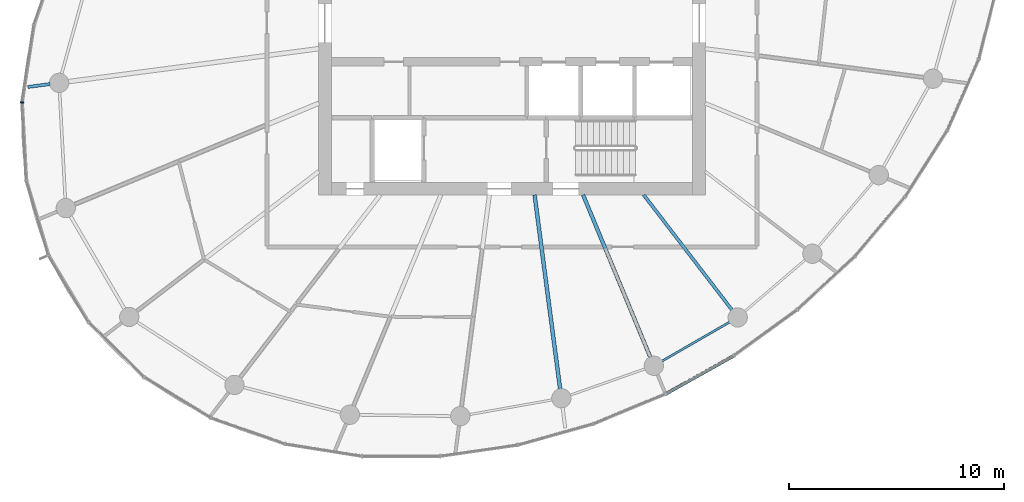
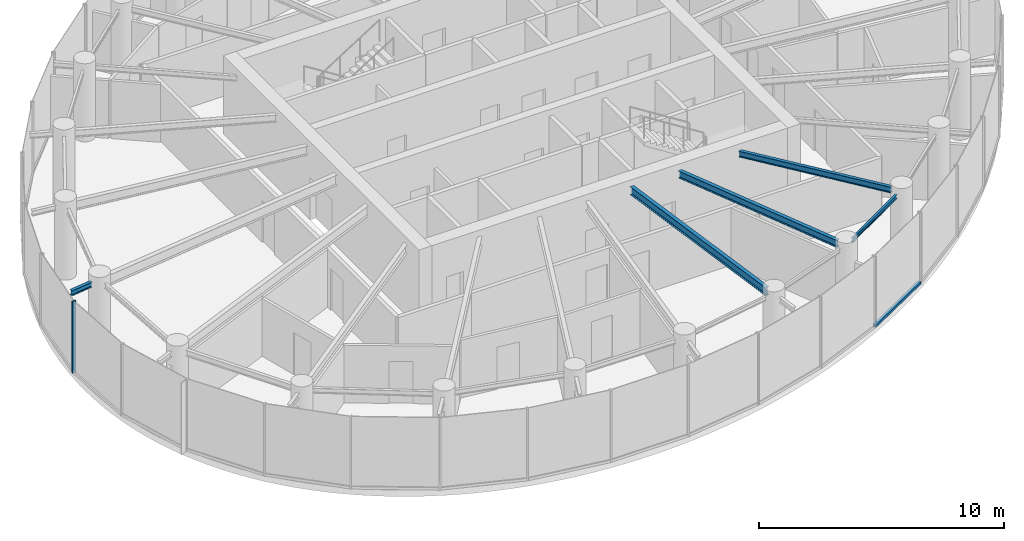
# One storey, part 3 of 14: 5 beams, 2 members, 2 elements without a shape of their own.
"""IFC4 building model written with IfcOpenShell, lengths in metres."""

from ifc_helpers import new_model, si_unit, direction, frame, origin, origin_2d, place, context, subcontext, project, spatial, rectangle, i_section, extrude, source, transform, mapped, material, layer, layer_set, material_profile, profile_set, type_object, element, aggregate, save


model = new_model("IFC4")

# Units and contexts
model_context = context("Model", 3, precision=1e-05, world=origin(), true_north=direction((0.0, 1.0)))
body_context = subcontext(model_context, "Body", "Model", "MODEL_VIEW")
ifc_project = project(units=[si_unit("LENGTHUNIT", "METRE"), si_unit("AREAUNIT", "SQUARE_METRE"), si_unit("VOLUMEUNIT", "CUBIC_METRE"), si_unit("PLANEANGLEUNIT", "RADIAN"), si_unit("MASSUNIT", "GRAM", prefix="KILO")], contexts=[model_context])

# Site, building, storey
site_placement = place(None, origin())
site = spatial("IfcSite", under=ifc_project, at=site_placement, CompositionType="ELEMENT")
building_placement = place(site_placement, origin())
building = spatial("IfcBuilding", under=site, at=building_placement, Name="Spindrift Exchange Tower", CompositionType="ELEMENT")
storey_placement = place(building_placement, frame((0.0, 0.0, 203.300048828125)))
storey = spatial("IfcBuildingStorey", under=building, at=storey_placement, Name="L49", CompositionType="ELEMENT", Elevation=203.300048828125)

# Beams
ifc_material_1 = material(Name="Steel Grade 300", Category="steel")
ifc_material_profile_1 = material_profile(ifc_material_1, i_section(OverallWidth=0.177978515625, OverallDepth=0.403076171875, WebThickness=0.007568359375, FlangeThickness=0.010986328125, FilletRadius=0.013916015625, at=origin_2d()), Name="410UB53.7")
ifc_profile_set_1 = profile_set([ifc_material_profile_1], Name="Steel Grade 300")
beam_type_1 = type_object("IfcBeamType", Name="Floor Beam 410UB53.7 Steel Grade 300", PredefinedType="BEAM", material=ifc_profile_set_1)
shared_shape_1 = source(origin(), body_context, "Body", "SweptSolid", [
    extrude(i_section(OverallWidth=0.177978515625, OverallDepth=0.403076171875, WebThickness=0.007568359375, FlangeThickness=0.010986328125, FilletRadius=0.013916015625, at=origin_2d()), origin(), (0.0, 0.0, 1.0), 9.11376953125),
])
beam_1_placement = place(storey_placement, frame((53.050537109375, 40.019775390625, 3.37841796875), z_axis=(0.130536972606, -0.991443442049, 0.0), x_axis=(0.991443442049, 0.130536972606, 0.0)))
element("IfcBeam", 1, at=beam_1_placement, inside=storey, type_object=beam_type_1, Name="L49 radial beam R19A", PredefinedType="BEAM", context=body_context, shape_type="MappedRepresentation", body=[
    mapped(shared_shape_1, transform((0.0, 0.0, 0.0), scale=1.0)),
])
ifc_material_profile_2 = material_profile(ifc_material_1, i_section(OverallWidth=0.1708984375, OverallDepth=0.35205078125, WebThickness=0.0068359375, FlangeThickness=0.009765625, FilletRadius=0.013916015625, at=origin_2d()), Name="360UB44.7")
ifc_profile_set_2 = profile_set([ifc_material_profile_2], Name="Steel Grade 300")
beam_type_2 = type_object("IfcBeamType", Name="Floor Beam 360UB44.7 Steel Grade 300", PredefinedType="BEAM", material=ifc_profile_set_2)
shared_shape_2 = source(origin(), body_context, "Body", "SweptSolid", [
    extrude(i_section(OverallWidth=0.1708984375, OverallDepth=0.35205078125, WebThickness=0.0068359375, FlangeThickness=0.009765625, FilletRadius=0.013916015625, at=origin_2d()), origin(), (0.0, 0.0, 1.0), 8.1748046875),
])
beam_2_placement = place(storey_placement, frame((55.30615234375, 40.0185546875, 3.404052734375), z_axis=(0.382655117626, -0.923891260352, 0.0), x_axis=(0.923891260352, 0.382655117626, 0.0)))
element("IfcBeam", 2, at=beam_2_placement, inside=storey, type_object=beam_type_2, Name="L49 radial beam R20A", PredefinedType="BEAM", context=body_context, shape_type="MappedRepresentation", body=[
    mapped(shared_shape_2, transform((0.0, 0.0, 0.0), scale=1.0)),
])
ifc_material_profile_3 = material_profile(ifc_material_1, i_section(OverallWidth=0.14892578125, OverallDepth=0.298095703125, WebThickness=0.005615234375, FlangeThickness=0.008056640625, FilletRadius=0.012939453125, at=origin_2d()), Name="310UB32.0")
ifc_profile_set_3 = profile_set([ifc_material_profile_3], Name="Steel Grade 300")
beam_type_3 = type_object("IfcBeamType", Name="Floor Beam 310UB32.0 Steel Grade 300", PredefinedType="BEAM", material=ifc_profile_set_3)
shared_shape_3 = source(origin(), body_context, "Body", "SweptSolid", [
    extrude(i_section(OverallWidth=0.14892578125, OverallDepth=0.298095703125, WebThickness=0.005615234375, FlangeThickness=0.008056640625, FilletRadius=0.012939453125, at=origin_2d()), origin(), (0.0, 0.0, 1.0), 6.753173828125),
])
beam_3_placement = place(storey_placement, frame((58.12646484375, 40.015869140625, 3.430908203125), z_axis=(0.608761639459, -0.793353178807, 0.0), x_axis=(0.793353178807, 0.608761639459, 0.0)))
element("IfcBeam", 3, at=beam_3_placement, inside=storey, type_object=beam_type_3, Name="L49 radial beam R21A", PredefinedType="BEAM", context=body_context, shape_type="MappedRepresentation", body=[
    mapped(shared_shape_3, transform((0.0, 0.0, 0.0), scale=1.0)),
])
ifc_material_profile_4 = material_profile(ifc_material_1, i_section(OverallWidth=0.09912109375, OverallDepth=0.197998046875, WebThickness=0.00439453125, FlangeThickness=0.007080078125, FilletRadius=0.010986328125, at=origin_2d()), Name="200UB18.2")
ifc_profile_set_4 = profile_set([ifc_material_profile_4], Name="Steel Grade 300")
beam_type_4 = type_object("IfcBeamType", Name="Edge Beam 200UB18.2 Steel Grade 300", PredefinedType="SPANDREL", material=ifc_profile_set_4)
shared_shape_4 = source(origin(), body_context, "Body", "SweptSolid", [
    extrude(i_section(OverallWidth=0.09912109375, OverallDepth=0.197998046875, WebThickness=0.00439453125, FlangeThickness=0.007080078125, FilletRadius=0.010986328125, at=origin_2d()), origin(), (0.0, 0.0, 1.0), 3.64208984375),
])
beam_4_placement = place(storey_placement, frame((58.971435546875, 32.283447265625, 3.48095703125), z_axis=(0.866364093123, 0.499412913476, 0.0), x_axis=(-0.499412913476, 0.866364093123, 0.0)))
element("IfcBeam", 4, at=beam_4_placement, inside=storey, type_object=beam_type_4, Name="L49 edge beam E20", PredefinedType="SPANDREL", context=body_context, shape_type="MappedRepresentation", body=[
    mapped(shared_shape_4, transform((0.0, 0.0, 0.0), scale=1.0)),
])
ifc_material_profile_5 = material_profile(ifc_material_1, i_section(OverallWidth=0.14599609375, OverallDepth=0.251953125, WebThickness=0.006103515625, FlangeThickness=0.008544921875, FilletRadius=0.011962890625, at=origin_2d()), Name="250UB31.4")
ifc_profile_set_5 = profile_set([ifc_material_profile_5], Name="Steel Grade 300")
beam_type_5 = type_object("IfcBeamType", Name="Cantilever Beam 250UB31.4 Steel Grade 300", PredefinedType="BEAM", material=ifc_profile_set_5)
shared_shape_5 = source(origin(), body_context, "Body", "SweptSolid", [
    extrude(i_section(OverallWidth=0.14599609375, OverallDepth=0.251953125, WebThickness=0.006103515625, FlangeThickness=0.008544921875, FilletRadius=0.011962890625, at=origin_2d()), origin(), (0.0, 0.0, 1.0), 1.0380859375),
])
beam_5_placement = place(storey_placement, frame((30.511474609375, 45.1708984375, 3.453857421875), z_axis=(-0.991446289497, -0.130515344087, 0.0), x_axis=(0.130515344087, -0.991446289497, 0.0)))
element("IfcBeam", 5, at=beam_5_placement, inside=storey, type_object=beam_type_5, Name="L49 cantilever beam R13T", PredefinedType="BEAM", context=body_context, shape_type="MappedRepresentation", body=[
    mapped(shared_shape_5, transform((0.0, 0.0, 0.0), scale=1.0)),
])

# Curtain wall, member
ifc_material_2 = material(Name="Fritted laminated glass with bronze frame", Category="glass")
ifc_layer = layer(ifc_material_2, 0.169921875)
ifc_layer_set = layer_set([ifc_layer], Name="ZONE 4 BRONZE FRITTED WALL")
curtain_wall_type = type_object("IfcCurtainWallType", Name="ZONE 4 BRONZE FRITTED WALL", PredefinedType="NOTDEFINED", material=ifc_layer_set)
curtain_wall_1_placement = place(storey_placement, origin())
curtain_wall_1 = element("IfcCurtainWall", 6, at=curtain_wall_1_placement, inside=storey, type_object=curtain_wall_type, Name="L49 Zone 4 Bronze Fritted Wall run 3", PredefinedType="NOTDEFINED")
ifc_material_3 = material(Name="Bronze anodised aluminium", Category="aluminium")
ifc_material_profile_6 = material_profile(ifc_material_3, rectangle(XDim=0.06494140625, YDim=0.169921875, at=origin_2d()), Name="ZONE 4 BRONZE FRITTED WALL MULLION 65X170")
ifc_profile_set_6 = profile_set([ifc_material_profile_6], Name="Bronze anodised aluminium")
member_type_1 = type_object("IfcMemberType", Name="ZONE 4 BRONZE FRITTED WALL MULLION 65X170", PredefinedType="MULLION", material=ifc_profile_set_6)
shared_shape_6 = source(origin(), body_context, "Body", "SweptSolid", [
    extrude(rectangle(XDim=0.06494140625, YDim=0.169921875, at=origin_2d()), origin(), (0.0, 0.0, 1.0), 3.579833984375),
])
member_1_placement = place(storey_placement, frame((29.2041015625, 44.3203125, 0.0), z_axis=(0.0, 0.0, 1.0), x_axis=(-0.048958139327, -0.998800831294, 0.0)))
member_1 = element("IfcMember", 7, at=member_1_placement, type_object=member_type_1, Name="L49 mullion CW-4.17", PredefinedType="MULLION", context=body_context, shape_type="MappedRepresentation", body=[
    mapped(shared_shape_6, transform((0.0, 0.0, 0.0), scale=1.0)),
])
aggregate(curtain_wall_1, [member_1])

curtain_wall_2_placement = place(storey_placement, origin())
curtain_wall_2 = element("IfcCurtainWall", 8, at=curtain_wall_2_placement, inside=storey, type_object=curtain_wall_type, Name="L49 Zone 4 Bronze Fritted Wall run 5", PredefinedType="NOTDEFINED")
ifc_material_profile_7 = material_profile(ifc_material_3, rectangle(XDim=0.14990234375, YDim=0.125, at=origin_2d()), Name="ZONE 4 BRONZE FRITTED WALL TRANSOM 150X125")
ifc_profile_set_7 = profile_set([ifc_material_profile_7], Name="Bronze anodised aluminium")
member_type_2 = type_object("IfcMemberType", Name="ZONE 4 BRONZE FRITTED WALL TRANSOM 150X125", PredefinedType="USERDEFINED", material=ifc_profile_set_7)
shared_shape_7 = source(origin(), body_context, "Body", "SweptSolid", [
    extrude(rectangle(XDim=0.14990234375, YDim=0.125, at=origin_2d()), origin(), (0.0, 0.0, 1.0), 3.57763671875),
])
member_2_placement = place(storey_placement, frame((59.175537109375, 30.771728515625, 0.0625), z_axis=(0.872436188774, 0.488728039421, 0.0), x_axis=(-0.488728039421, 0.872436188774, 0.0)))
member_2 = element("IfcMember", 9, at=member_2_placement, type_object=member_type_2, Name="L49 transom CW-4.28", ObjectType="TRANSOM", PredefinedType="USERDEFINED", context=body_context, shape_type="MappedRepresentation", body=[
    mapped(shared_shape_7, transform((0.0, 0.0, 0.0), scale=1.0)),
])
aggregate(curtain_wall_2, [member_2])

save(model, "model.ifc")
